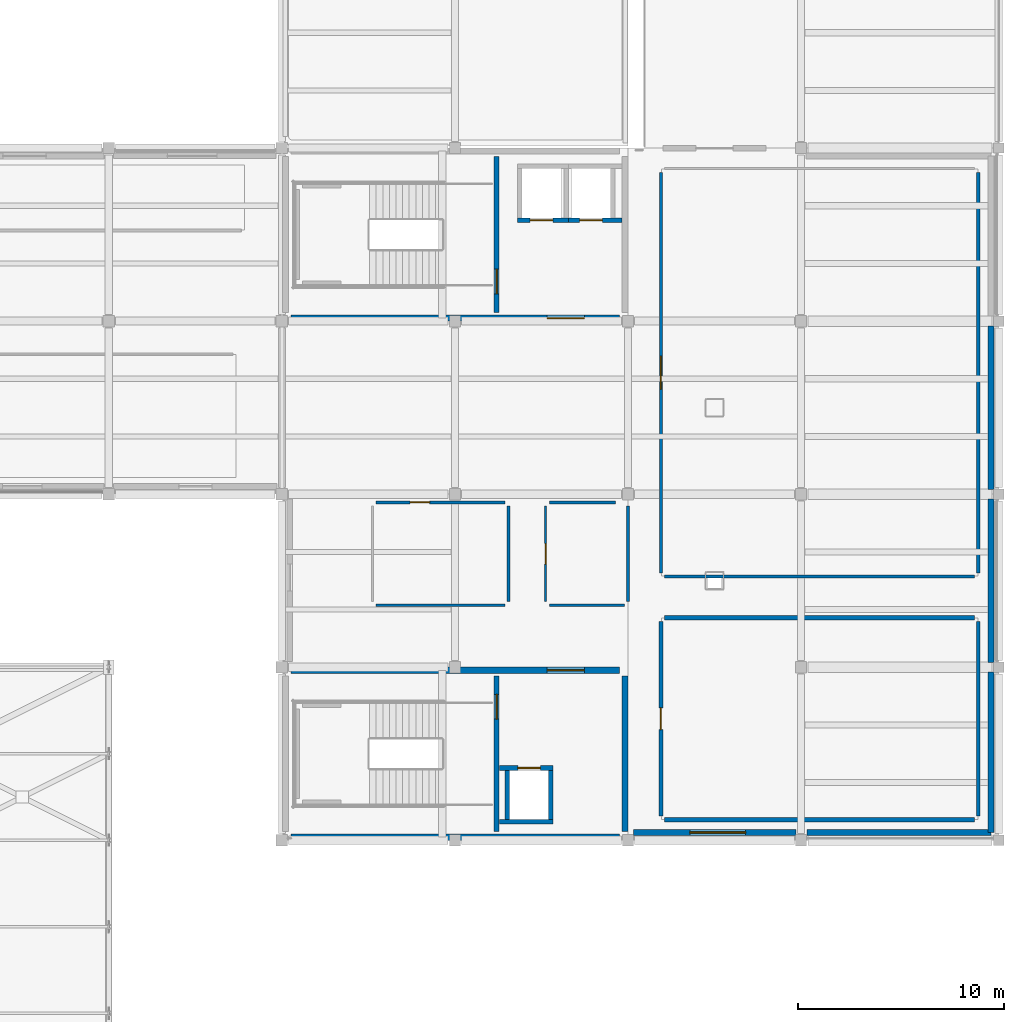
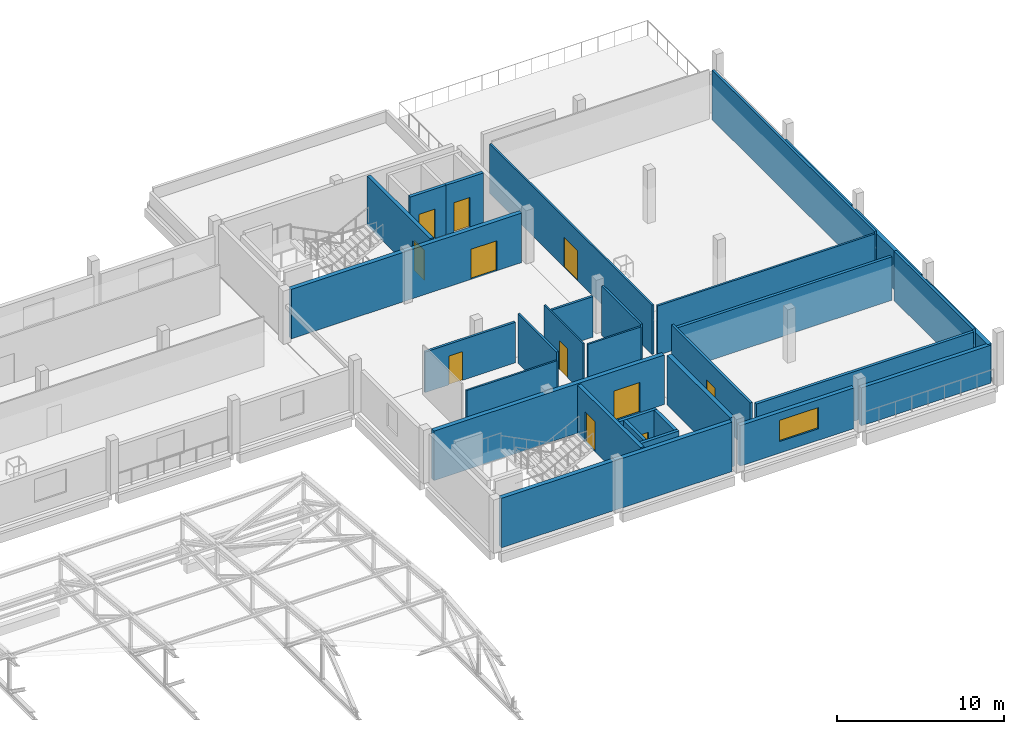
# One storey, part 62 of 74: 31 walls, 11 doors, 1 window, 12 openings.
"""IFC4 building model written with IfcOpenShell, lengths in metres."""

from ifc_helpers import new_model, si_unit, derived_unit, direction, frame, frame_2d, origin, place, context, subcontext, project, spatial, rectangle, extrude, material, layer, layer_set, type_object, element, fill, save


model = new_model("IFC4")

# Units and contexts
model_context = context("Model", 3, precision=1e-05, world=origin(), true_north=direction((0.0, 1.0)))
body_context = subcontext(model_context, "Body", "Model", "MODEL_VIEW")
ifc_project = project(units=[si_unit("LENGTHUNIT", "METRE"), si_unit("AREAUNIT", "SQUARE_METRE"), si_unit("VOLUMEUNIT", "CUBIC_METRE"), si_unit("PLANEANGLEUNIT", "RADIAN"), si_unit("MASSUNIT", "GRAM", prefix="KILO"), derived_unit("THERMALTRANSMITTANCEUNIT", [(si_unit("POWERUNIT", "WATT"), 1), (si_unit("LENGTHUNIT", "METRE"), -2), (si_unit("THERMODYNAMICTEMPERATUREUNIT", "KELVIN"), -1)])], contexts=[model_context])

# Site, building, storey
site_placement = place(None, origin())
site = spatial("IfcSite", under=ifc_project, at=site_placement, CompositionType="ELEMENT")
building_placement = place(site_placement, origin())
building = spatial("IfcBuilding", under=site, at=building_placement, Name="Elbkamm Science Centre", CompositionType="ELEMENT")
storey_placement = place(building_placement, frame((0.0, 0.0, 14.39990234375)))
storey = spatial("IfcBuildingStorey", under=building, at=storey_placement, Name="L03", CompositionType="ELEMENT", Elevation=14.39990234375)

# Wall, opening, door
ifc_material_1 = material(Name="Reinforced concrete C40/50", Category="concrete")
ifc_layer_1 = layer(ifc_material_1, 0.25)
ifc_layer_set_1 = layer_set([ifc_layer_1], Name="Reinforced concrete C40/50")
wall_type_1 = type_object("IfcWallType", Name="WL-CORE-250", PredefinedType="SHEAR", material=ifc_layer_set_1)
wall_1_placement = place(storey_placement, frame((136.419921875, 50.820068359375, 0.0), z_axis=(0.0, 0.0, 1.0), x_axis=(0.0, 1.0, 0.0)))
wall_1 = element("IfcWall", 1, at=wall_1_placement, inside=storey, type_object=wall_type_1, Name="L03 C3 Stairwell Compartment Wall", PredefinedType="SHEAR", context=body_context, shape_type="SweptSolid", body=[
    extrude(rectangle(XDim=7.559814453125, YDim=0.25, at=frame_2d((3.77978515625, 0.0))), origin(), (0.0, 0.0, 1.0), 3.6201171875),
])
opening_1_placement = place(wall_1_placement, frame((0.89990234375, 0.0, 0.0)))
opening_1 = element("IfcOpeningElement", 2, at=opening_1_placement, cuts=wall_1, Name="Opening DC-02", PredefinedType="OPENING", context=body_context, shape_type="SweptSolid", body=[
    extrude(rectangle(XDim=1.199951171875, YDim=2.199951171875, at=frame_2d((0.60009765625, 1.10009765625))), frame((0.0, 0.136962890625, 0.0), z_axis=(0.0, -1.0, 0.0), x_axis=(1.0, 0.0, 0.0)), (0.0, 0.0, 1.0), 0.27392578125),
])
ifc_material_2 = material(Name="Fire-rated steel acoustic door", Category="steel")
ifc_layer_2 = layer(ifc_material_2, 0.050048828125)
ifc_layer_set_2 = layer_set([ifc_layer_2], Name="Fire-rated steel acoustic door")
door_type_1 = type_object("IfcDoorType", Name="DR-CORE-1200x2200", OperationType="NOTDEFINED", PredefinedType="DOOR", material=ifc_layer_set_2)
door_1_placement = place(opening_1_placement, origin())
door_1 = element("IfcDoor", 3, at=door_1_placement, inside=storey, type_object=door_type_1, Name="L03 ST-C3 Stairwell Fire Door", OperationType="SINGLE_SWING_LEFT", OverallHeight=2.199951171875, OverallWidth=1.199951171875, PredefinedType="DOOR", context=body_context, shape_type="SweptSolid", body=[
    extrude(rectangle(XDim=1.199951171875, YDim=2.199951171875, at=frame_2d((0.60009765625, 1.10009765625))), frame((0.0, 0.02490234375, 0.0), z_axis=(0.0, -1.0, 0.0), x_axis=(1.0, 0.0, 0.0)), (0.0, 0.0, 1.0), 0.050048828125),
])
fill(opening_1, door_1)

wall_2_placement = place(storey_placement, frame((136.419921875, 25.6201171875, 0.0), z_axis=(0.0, 0.0, 1.0), x_axis=(0.0, 1.0, 0.0)))
wall_2 = element("IfcWall", 4, at=wall_2_placement, inside=storey, type_object=wall_type_1, Name="L03 C4 Stairwell Compartment Wall", PredefinedType="SHEAR", context=body_context, shape_type="SweptSolid", body=[
    extrude(rectangle(XDim=7.559814453125, YDim=0.25, at=frame_2d((3.77978515625, 0.0))), origin(), (0.0, 0.0, 1.0), 3.6201171875),
])
opening_2_placement = place(wall_2_placement, frame((5.4599609375, 0.0, 0.0)))
opening_2 = element("IfcOpeningElement", 5, at=opening_2_placement, cuts=wall_2, Name="Opening DC-02", PredefinedType="OPENING", context=body_context, shape_type="SweptSolid", body=[
    extrude(rectangle(XDim=1.199951171875, YDim=2.199951171875, at=frame_2d((0.60009765625, 1.10009765625))), frame((0.0, 0.136962890625, 0.0), z_axis=(0.0, -1.0, 0.0), x_axis=(1.0, 0.0, 0.0)), (0.0, 0.0, 1.0), 0.27392578125),
])
door_2_placement = place(opening_2_placement, origin())
door_2 = element("IfcDoor", 6, at=door_2_placement, inside=storey, type_object=door_type_1, Name="L03 ST-C4 Stairwell Fire Door", OperationType="SINGLE_SWING_RIGHT", OverallHeight=2.199951171875, OverallWidth=1.199951171875, PredefinedType="DOOR", context=body_context, shape_type="SweptSolid", body=[
    extrude(rectangle(XDim=1.199951171875, YDim=2.199951171875, at=frame_2d((0.60009765625, 1.10009765625))), frame((0.0, 0.02490234375, 0.0), z_axis=(0.0, -1.0, 0.0), x_axis=(1.0, 0.0, 0.0)), (0.0, 0.0, 1.0), 0.050048828125),
])
fill(opening_2, door_2)

ifc_layer_3 = layer(ifc_material_1, 0.300048828125)
ifc_layer_set_3 = layer_set([ifc_layer_3], Name="Reinforced concrete C40/50")
wall_type_2 = type_object("IfcWallType", Name="WL-CORE-300", PredefinedType="SHEAR", material=ifc_layer_set_3)
wall_3_placement = place(storey_placement, frame((126.449951171875, 50.550048828125, 0.0), z_axis=(0.0, 0.0, 1.0), x_axis=(1.0, 0.0, 0.0)))
wall_3 = element("IfcWall", 7, at=wall_3_placement, inside=storey, type_object=wall_type_2, Name="L03 Core C3 Northeast Laboratories and Observatory Core Shear Wall S", PredefinedType="SHEAR", context=body_context, shape_type="SweptSolid", body=[
    extrude(rectangle(XDim=15.929931640625, YDim=0.300048828125, at=frame_2d((7.96484375, 0.0))), origin(), (0.0, 0.0, 1.0), 3.6201171875),
])
opening_3_placement = place(wall_3_placement, frame((12.429931640625, 0.0, 0.0)))
opening_3 = element("IfcOpeningElement", 8, at=opening_3_placement, cuts=wall_3, Name="Opening DC-01", PredefinedType="OPENING", context=body_context, shape_type="SweptSolid", body=[
    extrude(rectangle(XDim=1.800048828125, YDim=2.199951171875, at=frame_2d((0.89990234375, 1.10009765625))), frame((0.0, 0.162109375, 0.0), z_axis=(0.0, -1.0, 0.0), x_axis=(1.0, 0.0, 0.0)), (0.0, 0.0, 1.0), 0.323974609375),
])
ifc_layer_4 = layer(ifc_material_2, 0.050048828125)
ifc_layer_set_4 = layer_set([ifc_layer_4], Name="Fire-rated steel acoustic door")
door_type_2 = type_object("IfcDoorType", Name="DR-CORE-1800x2200", OperationType="DOUBLE_DOOR_SINGLE_SWING", PredefinedType="DOOR", material=ifc_layer_set_4)
door_3_placement = place(opening_3_placement, origin())
door_3 = element("IfcDoor", 9, at=door_3_placement, inside=storey, type_object=door_type_2, Name="L03 C3 Core Lobby Fire Door", OperationType="DOUBLE_DOOR_SINGLE_SWING", OverallHeight=2.199951171875, OverallWidth=1.800048828125, PredefinedType="DOOR", context=body_context, shape_type="SweptSolid", body=[
    extrude(rectangle(XDim=1.800048828125, YDim=2.199951171875, at=frame_2d((0.89990234375, 1.10009765625))), frame((0.0, 0.02490234375, 0.0), z_axis=(0.0, -1.0, 0.0), x_axis=(1.0, 0.0, 0.0)), (0.0, 0.0, 1.0), 0.050048828125),
])
fill(opening_3, door_3)

# Wall
wall_4_placement = place(storey_placement, frame((126.449951171875, 25.35009765625, 0.0), z_axis=(0.0, 0.0, 1.0), x_axis=(1.0, 0.0, 0.0)))
element("IfcWall", 10, at=wall_4_placement, inside=storey, type_object=wall_type_2, Name="L03 Core C4 Southeast Workshops and Library Core Shear Wall S", PredefinedType="SHEAR", context=body_context, shape_type="SweptSolid", body=[
    extrude(rectangle(XDim=15.929931640625, YDim=0.300048828125, at=frame_2d((7.96484375, 0.0))), origin(), (0.0, 0.0, 1.0), 3.6201171875),
])

# Wall, opening, door
wall_5_placement = place(storey_placement, frame((126.449951171875, 33.449951171875, 0.0), z_axis=(0.0, 0.0, 1.0), x_axis=(1.0, 0.0, 0.0)))
wall_5 = element("IfcWall", 11, at=wall_5_placement, inside=storey, type_object=wall_type_2, Name="L03 Core C4 Southeast Workshops and Library Core Shear Wall N", PredefinedType="SHEAR", context=body_context, shape_type="SweptSolid", body=[
    extrude(rectangle(XDim=15.929931640625, YDim=0.300048828125, at=frame_2d((7.96484375, 0.0))), origin(), (0.0, 0.0, 1.0), 3.6201171875),
])
opening_4_placement = place(wall_5_placement, frame((12.429931640625, 0.0, 0.0)))
opening_4 = element("IfcOpeningElement", 12, at=opening_4_placement, cuts=wall_5, Name="Opening DC-01", PredefinedType="OPENING", context=body_context, shape_type="SweptSolid", body=[
    extrude(rectangle(XDim=1.800048828125, YDim=2.199951171875, at=frame_2d((0.89990234375, 1.10009765625))), frame((0.0, 0.162109375, 0.0), z_axis=(0.0, -1.0, 0.0), x_axis=(1.0, 0.0, 0.0)), (0.0, 0.0, 1.0), 0.323974609375),
])
door_4_placement = place(opening_4_placement, origin())
door_4 = element("IfcDoor", 13, at=door_4_placement, inside=storey, type_object=door_type_2, Name="L03 C4 Core Lobby Fire Door", OperationType="DOUBLE_DOOR_SINGLE_SWING", OverallHeight=2.199951171875, OverallWidth=1.800048828125, PredefinedType="DOOR", context=body_context, shape_type="SweptSolid", body=[
    extrude(rectangle(XDim=1.800048828125, YDim=2.199951171875, at=frame_2d((0.89990234375, 1.10009765625))), frame((0.0, 0.02490234375, 0.0), z_axis=(0.0, -1.0, 0.0), x_axis=(1.0, 0.0, 0.0)), (0.0, 0.0, 1.0), 0.050048828125),
])
fill(opening_4, door_4)

# Walls
wall_6_placement = place(storey_placement, frame((142.64990234375, 25.6201171875, 0.0), z_axis=(0.0, 0.0, 1.0), x_axis=(0.0, 1.0, 0.0)))
element("IfcWall", 14, at=wall_6_placement, inside=storey, type_object=wall_type_2, Name="L03 Core C4 Southeast Workshops and Library Core Shear Wall E", PredefinedType="SHEAR", context=body_context, shape_type="SweptSolid", body=[
    extrude(rectangle(XDim=7.559814453125, YDim=0.300048828125, at=frame_2d((3.77978515625, 0.0))), origin(), (0.0, 0.0, 1.0), 3.6201171875),
])
ifc_material_3 = material(Name="White precast concrete C40/50", Category="concrete")
ifc_layer_5 = layer(ifc_material_3, 0.27001953125)
ifc_layer_set_5 = layer_set([ifc_layer_5], Name="White precast concrete C40/50")
wall_type_3 = type_object("IfcWallType", Name="WL-EXT-270", PredefinedType="SOLIDWALL", material=ifc_layer_set_5)
wall_7_placement = place(storey_placement, frame((160.419921875, 41.760986328125, 0.0), z_axis=(0.0, 0.0, 1.0), x_axis=(0.0, -1.0, 0.0)))
element("IfcWall", 15, at=wall_7_placement, inside=storey, type_object=wall_type_3, Name="L03 Exterior Wall 0281", PredefinedType="SOLIDWALL", context=body_context, shape_type="SweptSolid", body=[
    extrude(rectangle(XDim=7.921875, YDim=0.27001953125, at=frame_2d((3.9609375, 0.0))), origin(), (0.0, 0.0, 1.0), 2.830078125),
])
wall_8_placement = place(storey_placement, frame((160.419921875, 25.580078125, 0.0), z_axis=(0.0, 0.0, 1.0), x_axis=(-1.0, 0.0, 0.0)))
element("IfcWall", 16, at=wall_8_placement, inside=storey, type_object=wall_type_3, Name="L03 Exterior Wall 0283", PredefinedType="SOLIDWALL", context=body_context, shape_type="SweptSolid", body=[
    extrude(rectangle(XDim=8.94287109375, YDim=0.27001953125, at=frame_2d((4.471435546875, 0.0))), origin(), (0.0, 0.0, 1.0), 2.780029296875),
])
ifc_layer_6 = layer(ifc_material_3, 0.2900390625)
ifc_layer_set_6 = layer_set([ifc_layer_6], Name="White precast concrete C40/50")
wall_type_4 = type_object("IfcWallType", Name="WL-EXT-290", PredefinedType="SOLIDWALL", material=ifc_layer_set_6)
wall_9_placement = place(storey_placement, frame((160.419921875, 50.160888671875, 0.0), z_axis=(0.0, 0.0, 1.0), x_axis=(0.0, -1.0, 0.0)))
element("IfcWall", 17, at=wall_9_placement, inside=storey, type_object=wall_type_4, Name="L03 Exterior Wall 0280", PredefinedType="SOLIDWALL", context=body_context, shape_type="SweptSolid", body=[
    extrude(rectangle(XDim=7.921875, YDim=0.2900390625, at=frame_2d((3.9609375, 0.0))), origin(), (0.0, 0.0, 1.0), 2.830078125),
])
wall_10_placement = place(storey_placement, frame((160.419921875, 33.36083984375, 0.0), z_axis=(0.0, 0.0, 1.0), x_axis=(0.0, -1.0, 0.0)))
element("IfcWall", 18, at=wall_10_placement, inside=storey, type_object=wall_type_4, Name="L03 Exterior Wall 0282", PredefinedType="SOLIDWALL", context=body_context, shape_type="SweptSolid", body=[
    extrude(rectangle(XDim=7.78076171875, YDim=0.2900390625, at=frame_2d((3.890380859375, 0.0))), origin(), (0.0, 0.0, 1.0), 2.780029296875),
])

# Wall, opening, window
wall_11_placement = place(storey_placement, frame((150.9609375, 25.580078125, 0.0), z_axis=(0.0, 0.0, 1.0), x_axis=(-1.0, 0.0, 0.0)))
wall_11 = element("IfcWall", 19, at=wall_11_placement, inside=storey, type_object=wall_type_4, Name="L03 Exterior Wall 0284", PredefinedType="SOLIDWALL", context=body_context, shape_type="SweptSolid", body=[
    extrude(rectangle(XDim=7.884033203125, YDim=0.2900390625, at=frame_2d((3.94189453125, 0.0))), origin(), (0.0, 0.0, 1.0), 2.97021484375),
])
opening_5_placement = place(wall_11_placement, frame((2.45556640625, 0.0, 0.85009765625)))
opening_5 = element("IfcOpeningElement", 20, at=opening_5_placement, cuts=wall_11, Name="Opening W-14", PredefinedType="OPENING", context=body_context, shape_type="SweptSolid", body=[
    extrude(rectangle(XDim=2.699951171875, YDim=1.550048828125, at=frame_2d((1.35009765625, 0.77490234375))), frame((0.0, 0.156982421875, 0.0), z_axis=(0.0, -1.0, 0.0), x_axis=(1.0, 0.0, 0.0)), (0.0, 0.0, 1.0), 0.31396484375),
])
ifc_material_4 = material(Name="Thermally broken aluminium and triple solar glass", Category="aluminium")
ifc_layer_7 = layer(ifc_material_4, 0.06005859375)
ifc_layer_set_7 = layer_set([ifc_layer_7], Name="Thermally broken aluminium and triple solar glass")
window_type = type_object("IfcWindowType", Name="WIN-2700x1550", PartitioningType="DOUBLE_PANEL_VERTICAL", PredefinedType="WINDOW", material=ifc_layer_set_7)
window_placement = place(opening_5_placement, origin())
window = element("IfcWindow", 21, at=window_placement, inside=storey, type_object=window_type, Name="L03 Facade Window 0073", OverallHeight=1.550048828125, OverallWidth=2.699951171875, PartitioningType="SINGLE_PANEL", PredefinedType="WINDOW", context=body_context, shape_type="SweptSolid", body=[
    extrude(rectangle(XDim=2.699951171875, YDim=1.550048828125, at=frame_2d((1.35009765625, 0.77490234375))), frame((0.0, 0.030029296875, 0.0), z_axis=(0.0, -1.0, 0.0), x_axis=(1.0, 0.0, 0.0)), (0.0, 0.0, 1.0), 0.06005859375),
])
fill(opening_5, window)

# Wall
ifc_material_5 = material(Name="Fire-rated gypsum stud partition", Category="gypsum")
ifc_layer_8 = layer(ifc_material_5, 0.175048828125)
ifc_layer_set_8 = layer_set([ifc_layer_8], Name="Fire-rated gypsum stud partition")
wall_type_5 = type_object("IfcWallType", Name="WL-FIRE-175", PredefinedType="PARTITIONING", material=ifc_layer_set_8)
wall_12_placement = place(storey_placement, frame((159.800048828125, 35.820068359375, 0.0), z_axis=(0.0, 0.0, 1.0), x_axis=(0.0, -1.0, 0.0)))
element("IfcWall", 22, at=wall_12_placement, inside=storey, type_object=wall_type_5, Name="L03 Biodiversity Research Laboratory Partition 0215", PredefinedType="PARTITIONING", context=body_context, shape_type="SweptSolid", body=[
    extrude(rectangle(XDim=9.440185546875, YDim=0.175048828125, at=frame_2d((4.72021484375, 0.0))), origin(), (0.0, 0.0, 1.0), 3.6201171875),
])

# Wall, opening, door
wall_13_placement = place(storey_placement, frame((144.39990234375, 26.3798828125, 0.0), z_axis=(0.0, 0.0, 1.0), x_axis=(0.0, 1.0, 0.0)))
wall_13 = element("IfcWall", 23, at=wall_13_placement, inside=storey, type_object=wall_type_5, Name="L03 Biodiversity Research Laboratory Partition 0217", PredefinedType="PARTITIONING", context=body_context, shape_type="SweptSolid", body=[
    extrude(rectangle(XDim=9.440185546875, YDim=0.175048828125, at=frame_2d((4.72021484375, 0.0))), origin(), (0.0, 0.0, 1.0), 3.6201171875),
])
opening_6_placement = place(wall_13_placement, frame((4.195068359375, 0.0, 0.0)))
opening_6 = element("IfcOpeningElement", 24, at=opening_6_placement, cuts=wall_13, Name="Opening DF-02", PredefinedType="OPENING", context=body_context, shape_type="SweptSolid", body=[
    extrude(rectangle(XDim=1.050048828125, YDim=2.14990234375, at=frame_2d((0.52490234375, 1.074951171875))), frame((0.0, 0.099609375, 0.0), z_axis=(0.0, -1.0, 0.0), x_axis=(1.0, 0.0, 0.0)), (0.0, 0.0, 1.0), 0.198974609375),
])
ifc_material_6 = material(Name="Fire-rated timber acoustic door", Category="wood")
ifc_layer_9 = layer(ifc_material_6, 0.050048828125)
ifc_layer_set_9 = layer_set([ifc_layer_9], Name="Fire-rated timber acoustic door")
door_type_3 = type_object("IfcDoorType", Name="DR-FIRE-1050x2150", OperationType="NOTDEFINED", PredefinedType="DOOR", material=ifc_layer_set_9)
door_5_placement = place(opening_6_placement, origin())
door_5 = element("IfcDoor", 25, at=door_5_placement, inside=storey, type_object=door_type_3, Name="L03 Biodiversity Research Laboratory Door", OperationType="SINGLE_SWING_RIGHT", OverallHeight=2.14990234375, OverallWidth=1.050048828125, PredefinedType="DOOR", context=body_context, shape_type="SweptSolid", body=[
    extrude(rectangle(XDim=1.050048828125, YDim=2.14990234375, at=frame_2d((0.52490234375, 1.074951171875))), frame((0.0, 0.02490234375, 0.0), z_axis=(0.0, -1.0, 0.0), x_axis=(1.0, 0.0, 0.0)), (0.0, 0.0, 1.0), 0.050048828125),
])
fill(opening_6, door_5)

# Walls
ifc_material_7 = material(Name="Fire-rated acoustic blockwork", Category="masonry")
ifc_layer_10 = layer(ifc_material_7, 0.199951171875)
ifc_layer_set_10 = layer_set([ifc_layer_10], Name="Fire-rated acoustic blockwork")
wall_type_6 = type_object("IfcWallType", Name="WL-FIRE-200", PredefinedType="PARTITIONING", material=ifc_layer_set_10)
wall_14_placement = place(storey_placement, frame((144.580078125, 36.0, 0.0), z_axis=(0.0, 0.0, 1.0), x_axis=(1.0, 0.0, 0.0)))
element("IfcWall", 26, at=wall_14_placement, inside=storey, type_object=wall_type_6, Name="L03 Biodiversity Research Laboratory Partition 0214", PredefinedType="PARTITIONING", context=body_context, shape_type="SweptSolid", body=[
    extrude(rectangle(XDim=15.0400390625, YDim=0.199951171875, at=frame_2d((7.52001953125, 0.0))), origin(), (0.0, 0.0, 1.0), 3.18017578125),
])
wall_15_placement = place(storey_placement, frame((159.6201171875, 26.199951171875, 0.0), z_axis=(0.0, 0.0, 1.0), x_axis=(-1.0, 0.0, 0.0)))
element("IfcWall", 27, at=wall_15_placement, inside=storey, type_object=wall_type_6, Name="L03 Biodiversity Research Laboratory Partition 0216", PredefinedType="PARTITIONING", context=body_context, shape_type="SweptSolid", body=[
    extrude(rectangle(XDim=15.0400390625, YDim=0.199951171875, at=frame_2d((7.52001953125, 0.0))), origin(), (0.0, 0.0, 1.0), 3.6201171875),
])

# Wall, opening, door
ifc_material_8 = material(Name="Drywall service partition", Category="gypsum")
ifc_layer_11 = layer(ifc_material_8, 0.10009765625)
ifc_layer_set_11 = layer_set([ifc_layer_11], Name="Drywall service partition")
wall_type_7 = type_object("IfcWallType", Name="WL-PART-100", PredefinedType="PARTITIONING", material=ifc_layer_set_11)
wall_16_placement = place(storey_placement, frame((138.800048828125, 36.780029296875, 0.0), z_axis=(0.0, 0.0, 1.0), x_axis=(0.0, 1.0, 0.0)))
wall_16 = element("IfcWall", 28, at=wall_16_placement, inside=storey, type_object=wall_type_7, Name="L03 Accessible WC L03 Partition 0231", PredefinedType="PARTITIONING", context=body_context, shape_type="SweptSolid", body=[
    extrude(rectangle(XDim=4.639892578125, YDim=0.10009765625, at=frame_2d((2.31982421875, 0.0))), origin(), (0.0, 0.0, 1.0), 3.6201171875),
])
opening_7_placement = place(wall_16_placement, frame((1.820068359375, 0.0, 0.0)))
opening_7 = element("IfcOpeningElement", 29, at=opening_7_placement, cuts=wall_16, Name="Opening DI-10", PredefinedType="OPENING", context=body_context, shape_type="SweptSolid", body=[
    extrude(rectangle(XDim=1.0, YDim=2.10009765625, at=frame_2d((0.5, 1.050048828125))), frame((0.0, 0.06201171875, 0.0), z_axis=(0.0, -1.0, 0.0), x_axis=(1.0, 0.0, 0.0)), (0.0, 0.0, 1.0), 0.1240234375),
])
ifc_material_9 = material(Name="Powder-coated aluminium accessible WC door", Category="aluminium")
ifc_layer_12 = layer(ifc_material_9, 0.050048828125)
ifc_layer_set_12 = layer_set([ifc_layer_12], Name="Powder-coated aluminium accessible WC door")
door_type_4 = type_object("IfcDoorType", Name="DR-AWC-1000x2100", OperationType="NOTDEFINED", PredefinedType="DOOR", material=ifc_layer_set_12)
door_6_placement = place(opening_7_placement, origin())
door_6 = element("IfcDoor", 30, at=door_6_placement, inside=storey, type_object=door_type_4, Name="L03 Accessible WC L03 Door", OperationType="SINGLE_SWING_RIGHT", OverallHeight=2.10009765625, OverallWidth=1.0, PredefinedType="DOOR", context=body_context, shape_type="SweptSolid", body=[
    extrude(rectangle(XDim=1.0, YDim=2.10009765625, at=frame_2d((0.5, 1.050048828125))), frame((0.0, 0.02490234375, 0.0), z_axis=(0.0, -1.0, 0.0), x_axis=(1.0, 0.0, 0.0)), (0.0, 0.0, 1.0), 0.050048828125),
])
fill(opening_7, door_6)

ifc_material_10 = material(Name="Lightweight metal-stud gypsum partition", Category="gypsum")
ifc_layer_13 = layer(ifc_material_10, 0.125)
ifc_layer_set_13 = layer_set([ifc_layer_13], Name="Lightweight metal-stud gypsum partition")
wall_type_8 = type_object("IfcWallType", Name="WL-PART-125", PredefinedType="PARTITIONING", material=ifc_layer_set_13)
wall_17_placement = place(storey_placement, frame((144.39990234375, 38.179931640625, 0.0), z_axis=(0.0, 0.0, 1.0), x_axis=(0.0, 1.0, 0.0)))
wall_17 = element("IfcWall", 31, at=wall_17_placement, inside=storey, type_object=wall_type_8, Name="L03 Curatorial Conservation Workshop Partition 0222", PredefinedType="PARTITIONING", context=body_context, shape_type="SweptSolid", body=[
    extrude(rectangle(XDim=19.440185546875, YDim=0.125, at=frame_2d((9.72021484375, 0.0))), origin(), (0.0, 0.0, 1.0), 3.6201171875),
])
opening_8_placement = place(wall_17_placement, frame((8.919921875, 0.0, 0.0)))
opening_8 = element("IfcOpeningElement", 32, at=opening_8_placement, cuts=wall_17, Name="Opening DI-02", PredefinedType="OPENING", context=body_context, shape_type="SweptSolid", body=[
    extrude(rectangle(XDim=1.60009765625, YDim=2.199951171875, at=frame_2d((0.800048828125, 1.10009765625))), frame((0.0, 0.074462890625, 0.0), z_axis=(0.0, -1.0, 0.0), x_axis=(1.0, 0.0, 0.0)), (0.0, 0.0, 1.0), 0.14892578125),
])
ifc_material_11 = material(Name="Acoustic oak veneer and safety glass door", Category="glass")
ifc_layer_14 = layer(ifc_material_11, 0.050048828125)
ifc_layer_set_14 = layer_set([ifc_layer_14], Name="Acoustic oak veneer and safety glass door")
door_type_5 = type_object("IfcDoorType", Name="DR-INT-1600x2200", OperationType="DOUBLE_DOOR_SINGLE_SWING", PredefinedType="DOOR", material=ifc_layer_set_14)
door_7_placement = place(opening_8_placement, origin())
door_7 = element("IfcDoor", 33, at=door_7_placement, inside=storey, type_object=door_type_5, Name="L03 Curatorial Conservation Workshop Door", OperationType="DOUBLE_DOOR_SINGLE_SWING", OverallHeight=2.199951171875, OverallWidth=1.60009765625, PredefinedType="DOOR", context=body_context, shape_type="SweptSolid", body=[
    extrude(rectangle(XDim=1.60009765625, YDim=2.199951171875, at=frame_2d((0.800048828125, 1.10009765625))), frame((0.0, 0.02490234375, 0.0), z_axis=(0.0, -1.0, 0.0), x_axis=(1.0, 0.0, 0.0)), (0.0, 0.0, 1.0), 0.050048828125),
])
fill(opening_8, door_7)

# Walls
wall_18_placement = place(storey_placement, frame((136.820068359375, 36.60009765625, 0.0), z_axis=(0.0, 0.0, 1.0), x_axis=(-1.0, 0.0, 0.0)))
element("IfcWall", 34, at=wall_18_placement, inside=storey, type_object=wall_type_8, Name="L03 Public Washrooms L03 Partition 0226", PredefinedType="PARTITIONING", context=body_context, shape_type="SweptSolid", body=[
    extrude(rectangle(XDim=6.239990234375, YDim=0.125, at=frame_2d((3.1201171875, 0.0))), origin(), (0.0, 0.0, 1.0), 3.170166015625),
])
wall_19_placement = place(storey_placement, frame((142.6201171875, 36.60009765625, 0.0), z_axis=(0.0, 0.0, 1.0), x_axis=(-1.0, 0.0, 0.0)))
element("IfcWall", 35, at=wall_19_placement, inside=storey, type_object=wall_type_8, Name="L03 Accessible WC L03 Partition 0230", PredefinedType="PARTITIONING", context=body_context, shape_type="SweptSolid", body=[
    extrude(rectangle(XDim=3.64013671875, YDim=0.125, at=frame_2d((1.820068359375, 0.0))), origin(), (0.0, 0.0, 1.0), 3.6201171875),
])
ifc_material_12 = material(Name="Acoustic metal-stud gypsum partition", Category="gypsum")
ifc_layer_15 = layer(ifc_material_12, 0.139892578125)
ifc_layer_set_15 = layer_set([ifc_layer_15], Name="Acoustic metal-stud gypsum partition")
wall_type_9 = type_object("IfcWallType", Name="WL-PART-140", PredefinedType="PARTITIONING", material=ifc_layer_set_15)
wall_20_placement = place(storey_placement, frame((159.6201171875, 38.0, 0.0), z_axis=(0.0, 0.0, 1.0), x_axis=(-1.0, 0.0, 0.0)))
element("IfcWall", 36, at=wall_20_placement, inside=storey, type_object=wall_type_9, Name="L03 Curatorial Conservation Workshop Partition 0221", PredefinedType="PARTITIONING", context=body_context, shape_type="SweptSolid", body=[
    extrude(rectangle(XDim=15.0400390625, YDim=0.139892578125, at=frame_2d((7.52001953125, 0.0))), origin(), (0.0, 0.0, 1.0), 3.6201171875),
])
for number, where, z_axis, x_axis, name in (
    (37, (137.0, 41.419921875, 0.0), (0.0, 0.0, 1.0), (0.0, -1.0, 0.0), "L03 Public Washrooms L03 Partition 0225"),
    (38, (142.800048828125, 41.419921875, 0.0), (0.0, 0.0, 1.0), (0.0, -1.0, 0.0), "L03 Accessible WC L03 Partition 0229"),
):
    element("IfcWall", number, at=place(storey_placement, frame(where, z_axis=z_axis, x_axis=x_axis)), inside=storey, type_object=wall_type_9, Name=name, PredefinedType="PARTITIONING", context=body_context, shape_type="SweptSolid", body=[
        extrude(rectangle(XDim=4.639892578125, YDim=0.139892578125, at=frame_2d((2.31982421875, 0.0))), origin(), (0.0, 0.0, 1.0), 3.6201171875),
    ])
ifc_layer_16 = layer(ifc_material_12, 0.159912109375)
ifc_layer_set_16 = layer_set([ifc_layer_16], Name="Acoustic metal-stud gypsum partition")
wall_type_10 = type_object("IfcWallType", Name="WL-PART-160", PredefinedType="PARTITIONING", material=ifc_layer_set_16)
wall_21_placement = place(storey_placement, frame((159.800048828125, 57.6201171875, 0.0), z_axis=(0.0, 0.0, 1.0), x_axis=(0.0, -1.0, 0.0)))
element("IfcWall", 39, at=wall_21_placement, inside=storey, type_object=wall_type_10, Name="L03 Curatorial Conservation Workshop Partition 0220", PredefinedType="PARTITIONING", context=body_context, shape_type="SweptSolid", body=[
    extrude(rectangle(XDim=19.440185546875, YDim=0.159912109375, at=frame_2d((9.72021484375, 0.0))), origin(), (0.0, 0.0, 1.0), 3.6201171875),
])

# Wall, opening, door
wall_22_placement = place(storey_placement, frame((130.580078125, 41.60009765625, 0.0), z_axis=(0.0, 0.0, 1.0), x_axis=(1.0, 0.0, 0.0)))
wall_22 = element("IfcWall", 40, at=wall_22_placement, inside=storey, type_object=wall_type_10, Name="L03 Public Washrooms L03 Partition 0224", PredefinedType="PARTITIONING", context=body_context, shape_type="SweptSolid", body=[
    extrude(rectangle(XDim=6.239990234375, YDim=0.159912109375, at=frame_2d((3.1201171875, 0.0))), origin(), (0.0, 0.0, 1.0), 2.97021484375),
])
opening_9_placement = place(wall_22_placement, frame((1.646484375, 0.0, 0.0)))
opening_9 = element("IfcOpeningElement", 41, at=opening_9_placement, cuts=wall_22, Name="Opening DI-09", PredefinedType="OPENING", context=body_context, shape_type="SweptSolid", body=[
    extrude(rectangle(XDim=0.949951171875, YDim=2.10009765625, at=frame_2d((0.47509765625, 1.050048828125))), frame((0.0, 0.091796875, 0.0), z_axis=(0.0, -1.0, 0.0), x_axis=(1.0, 0.0, 0.0)), (0.0, 0.0, 1.0), 0.183837890625),
])
ifc_material_13 = material(Name="Powder-coated aluminium washroom door", Category="aluminium")
ifc_layer_17 = layer(ifc_material_13, 0.050048828125)
ifc_layer_set_17 = layer_set([ifc_layer_17], Name="Powder-coated aluminium washroom door")
door_type_6 = type_object("IfcDoorType", Name="DR-INT-950x2100", OperationType="NOTDEFINED", PredefinedType="DOOR", material=ifc_layer_set_17)
door_8_placement = place(opening_9_placement, origin())
door_8 = element("IfcDoor", 42, at=door_8_placement, inside=storey, type_object=door_type_6, Name="L03 Public Washrooms L03 Door", OperationType="SINGLE_SWING_RIGHT", OverallHeight=2.10009765625, OverallWidth=0.949951171875, PredefinedType="DOOR", context=body_context, shape_type="SweptSolid", body=[
    extrude(rectangle(XDim=0.949951171875, YDim=2.10009765625, at=frame_2d((0.47509765625, 1.050048828125))), frame((0.0, 0.02490234375, 0.0), z_axis=(0.0, -1.0, 0.0), x_axis=(1.0, 0.0, 0.0)), (0.0, 0.0, 1.0), 0.050048828125),
])
fill(opening_9, door_8)

# Wall
wall_23_placement = place(storey_placement, frame((138.97998046875, 41.60009765625, 0.0), z_axis=(0.0, 0.0, 1.0), x_axis=(1.0, 0.0, 0.0)))
element("IfcWall", 43, at=wall_23_placement, inside=storey, type_object=wall_type_10, Name="L03 Accessible WC L03 Partition 0228", PredefinedType="PARTITIONING", context=body_context, shape_type="SweptSolid", body=[
    extrude(rectangle(XDim=3.219970703125, YDim=0.159912109375, at=frame_2d((1.60986328125, 0.0))), origin(), (0.0, 0.0, 1.0), 2.97021484375),
])

# Wall, opening, door
ifc_layer_18 = layer(ifc_material_1, 0.219970703125)
ifc_layer_set_18 = layer_set([ifc_layer_18], Name="Reinforced concrete C40/50")
wall_type_11 = type_object("IfcWallType", Name="WL-SHAFT-220", PredefinedType="SOLIDWALL", material=ifc_layer_set_18)
wall_24_placement = place(storey_placement, frame((137.429931640625, 55.2900390625, 0.0), z_axis=(0.0, 0.0, 1.0), x_axis=(1.0, 0.0, 0.0)))
wall_24 = element("IfcWall", 44, at=wall_24_placement, inside=storey, type_object=wall_type_11, Name="L03 Lift LP1 Shaft Front Wall", PredefinedType="SOLIDWALL", context=body_context, shape_type="SweptSolid", body=[
    extrude(rectangle(XDim=2.47998046875, YDim=0.219970703125, at=frame_2d((1.239990234375, 0.0))), origin(), (0.0, 0.0, 1.0), 3.6201171875),
])
opening_10_placement = place(wall_24_placement, frame((0.6201171875, 0.0, 0.0)))
opening_10 = element("IfcOpeningElement", 45, at=opening_10_placement, cuts=wall_24, Name="Opening LD-01", PredefinedType="OPENING", context=body_context, shape_type="SweptSolid", body=[
    extrude(rectangle(XDim=1.10009765625, YDim=2.14990234375, at=frame_2d((0.550048828125, 1.074951171875))), frame((0.0, 0.1220703125, 0.0), z_axis=(0.0, -1.0, 0.0), x_axis=(1.0, 0.0, 0.0)), (0.0, 0.0, 1.0), 0.243896484375),
])
ifc_material_14 = material(Name="Stainless steel lift landing door", Category="steel")
ifc_layer_19 = layer(ifc_material_14, 0.050048828125)
ifc_layer_set_19 = layer_set([ifc_layer_19], Name="Stainless steel lift landing door")
door_type_7 = type_object("IfcDoorType", Name="DR-LIFT-1100x2150", OperationType="DOUBLE_DOOR_SLIDING", PredefinedType="DOOR", material=ifc_layer_set_19)
door_9_placement = place(opening_10_placement, origin())
door_9 = element("IfcDoor", 46, at=door_9_placement, inside=storey, type_object=door_type_7, Name="L03 Lift LP1 Sliding Landing Door", OperationType="DOUBLE_DOOR_SLIDING", OverallHeight=2.14990234375, OverallWidth=1.10009765625, PredefinedType="DOOR", context=body_context, shape_type="SweptSolid", body=[
    extrude(rectangle(XDim=1.10009765625, YDim=2.14990234375, at=frame_2d((0.550048828125, 1.074951171875))), frame((0.0, 0.02490234375, 0.0), z_axis=(0.0, -1.0, 0.0), x_axis=(1.0, 0.0, 0.0)), (0.0, 0.0, 1.0), 0.050048828125),
])
fill(opening_10, door_9)

wall_25_placement = place(storey_placement, frame((139.68994140625, 55.2900390625, 0.0), z_axis=(0.0, 0.0, 1.0), x_axis=(1.0, 0.0, 0.0)))
wall_25 = element("IfcWall", 47, at=wall_25_placement, inside=storey, type_object=wall_type_11, Name="L03 Lift LP2 Shaft Front Wall", PredefinedType="SOLIDWALL", context=body_context, shape_type="SweptSolid", body=[
    extrude(rectangle(XDim=2.81005859375, YDim=0.219970703125, at=frame_2d((1.405029296875, 0.0))), origin(), (0.0, 0.0, 1.0), 3.6201171875),
])
opening_11_placement = place(wall_25_placement, frame((0.760009765625, 0.0, 0.0)))
opening_11 = element("IfcOpeningElement", 48, at=opening_11_placement, cuts=wall_25, Name="Opening LD-01", PredefinedType="OPENING", context=body_context, shape_type="SweptSolid", body=[
    extrude(rectangle(XDim=1.10009765625, YDim=2.14990234375, at=frame_2d((0.550048828125, 1.074951171875))), frame((0.0, 0.1220703125, 0.0), z_axis=(0.0, -1.0, 0.0), x_axis=(1.0, 0.0, 0.0)), (0.0, 0.0, 1.0), 0.243896484375),
])
door_10_placement = place(opening_11_placement, origin())
door_10 = element("IfcDoor", 49, at=door_10_placement, inside=storey, type_object=door_type_7, Name="L03 Lift LP2 Sliding Landing Door", OperationType="DOUBLE_DOOR_SLIDING", OverallHeight=2.14990234375, OverallWidth=1.10009765625, PredefinedType="DOOR", context=body_context, shape_type="SweptSolid", body=[
    extrude(rectangle(XDim=1.10009765625, YDim=2.14990234375, at=frame_2d((0.550048828125, 1.074951171875))), frame((0.0, 0.02490234375, 0.0), z_axis=(0.0, -1.0, 0.0), x_axis=(1.0, 0.0, 0.0)), (0.0, 0.0, 1.0), 0.050048828125),
])
fill(opening_11, door_10)

# Walls
for number, where, z_axis, x_axis, name in (
    (50, (136.93994140625, 26.199951171875, 0.0), (0.0, 0.0, 1.0), (0.0, 1.0, 0.0), "L03 Lift LP3 Shaft West Wall"),
    (51, (139.06005859375, 26.199951171875, 0.0), (0.0, 0.0, 1.0), (0.0, 1.0, 0.0), "L03 Lift LP3 Shaft East Wall"),
):
    element("IfcWall", number, at=place(storey_placement, frame(where, z_axis=z_axis, x_axis=x_axis)), inside=storey, type_object=wall_type_11, Name=name, PredefinedType="SOLIDWALL", context=body_context, shape_type="SweptSolid", body=[
        extrude(rectangle(XDim=2.400146484375, YDim=0.219970703125, at=frame_2d((1.2001953125, 0.0))), origin(), (0.0, 0.0, 1.0), 3.6201171875),
    ])
wall_26_placement = place(storey_placement, frame((136.56005859375, 26.090087890625, 0.0), z_axis=(0.0, 0.0, 1.0), x_axis=(1.0, 0.0, 0.0)))
element("IfcWall", 52, at=wall_26_placement, inside=storey, type_object=wall_type_11, Name="L03 Lift LP3 Shaft Back Wall", PredefinedType="SOLIDWALL", context=body_context, shape_type="SweptSolid", body=[
    extrude(rectangle(XDim=2.60986328125, YDim=0.219970703125, at=frame_2d((1.304931640625, 0.0))), origin(), (0.0, 0.0, 1.0), 3.6201171875),
])

# Wall, opening, door
wall_27_placement = place(storey_placement, frame((136.56005859375, 28.7099609375, 0.0), z_axis=(0.0, 0.0, 1.0), x_axis=(1.0, 0.0, 0.0)))
wall_27 = element("IfcWall", 53, at=wall_27_placement, inside=storey, type_object=wall_type_11, Name="L03 Lift LP3 Shaft Front Wall", PredefinedType="SOLIDWALL", context=body_context, shape_type="SweptSolid", body=[
    extrude(rectangle(XDim=2.60986328125, YDim=0.219970703125, at=frame_2d((1.304931640625, 0.0))), origin(), (0.0, 0.0, 1.0), 3.6201171875),
])
opening_12_placement = place(wall_27_placement, frame((0.889892578125, 0.0, 0.0)))
opening_12 = element("IfcOpeningElement", 54, at=opening_12_placement, cuts=wall_27, Name="Opening LD-01", PredefinedType="OPENING", context=body_context, shape_type="SweptSolid", body=[
    extrude(rectangle(XDim=1.10009765625, YDim=2.14990234375, at=frame_2d((0.550048828125, 1.074951171875))), frame((0.0, 0.1220703125, 0.0), z_axis=(0.0, -1.0, 0.0), x_axis=(1.0, 0.0, 0.0)), (0.0, 0.0, 1.0), 0.243896484375),
])
door_11_placement = place(opening_12_placement, origin())
door_11 = element("IfcDoor", 55, at=door_11_placement, inside=storey, type_object=door_type_7, Name="L03 Lift LP3 Sliding Landing Door", OperationType="DOUBLE_DOOR_SLIDING", OverallHeight=2.14990234375, OverallWidth=1.10009765625, PredefinedType="DOOR", context=body_context, shape_type="SweptSolid", body=[
    extrude(rectangle(XDim=1.10009765625, YDim=2.14990234375, at=frame_2d((0.550048828125, 1.074951171875))), frame((0.0, 0.02490234375, 0.0), z_axis=(0.0, -1.0, 0.0), x_axis=(1.0, 0.0, 0.0)), (0.0, 0.0, 1.0), 0.050048828125),
])
fill(opening_12, door_11)

save(model, "model.ifc")
